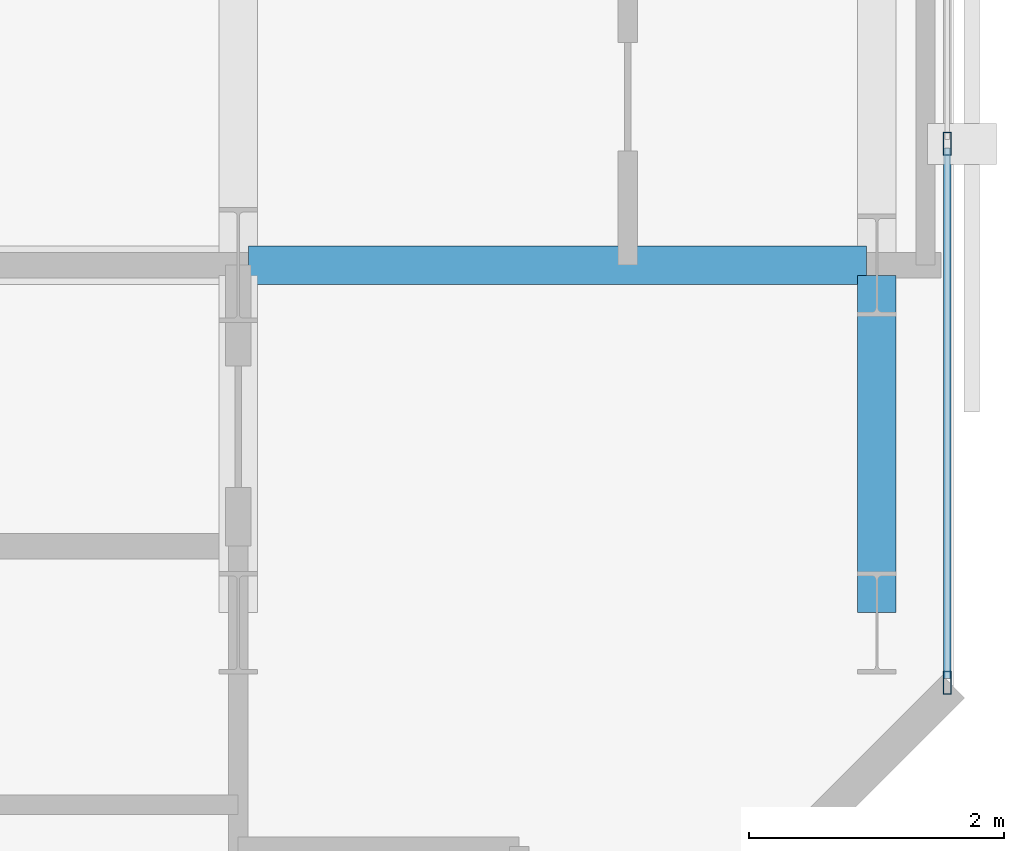
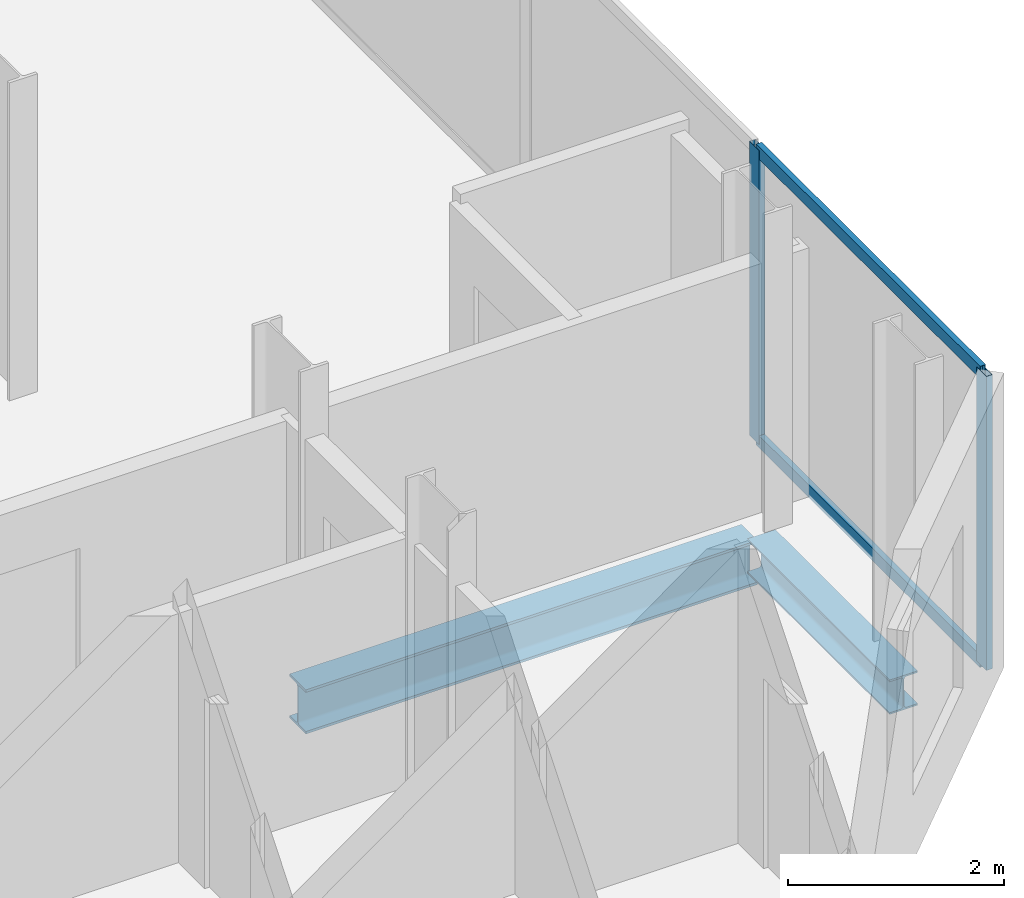
# One storey, part 17 of 33: 4 members, 2 beams, 1 element without a shape of its own.
"""IFC4 building model written with IfcOpenShell, lengths in metres."""

from ifc_helpers import new_model, si_unit, direction, frame, origin, origin_2d, place, context, subcontext, project, spatial, hollow_rectangle, i_section, extrude, material, layer, layer_set, material_profile, profile_set, type_object, element, aggregate, save


model = new_model("IFC4")

# Units and contexts
model_context = context("Model", 3, precision=1e-05, world=origin(), true_north=direction((0.0, 1.0)))
body_context = subcontext(model_context, "Body", "Model", "MODEL_VIEW")
ifc_project = project(units=[si_unit("LENGTHUNIT", "METRE"), si_unit("AREAUNIT", "SQUARE_METRE"), si_unit("VOLUMEUNIT", "CUBIC_METRE"), si_unit("PLANEANGLEUNIT", "RADIAN"), si_unit("MASSUNIT", "GRAM", prefix="KILO")], contexts=[model_context])

# Site, building, storey
site_placement = place(None, origin())
site = spatial("IfcSite", under=ifc_project, at=site_placement, CompositionType="ELEMENT")
building_placement = place(site_placement, origin())
building = spatial("IfcBuilding", under=site, at=building_placement, Name="Catumbela Crestline Tower", CompositionType="ELEMENT")
storey_placement = place(building_placement, frame((0.0, 0.0, 47.4)))
storey = spatial("IfcBuildingStorey", under=building, at=storey_placement, Name="L11", CompositionType="ELEMENT", Elevation=47.4)

# Beam
ifc_material_1 = material(Name="Structural steel S355J2", Category="steel")
ifc_material_profile_1 = material_profile(ifc_material_1, i_section(OverallWidth=0.3, OverallDepth=0.5, WebThickness=0.0145, FlangeThickness=0.028, FilletRadius=0.027, at=origin_2d()), Name="HEB 500")
ifc_profile_set_1 = profile_set([ifc_material_profile_1], Name="Structural steel S355J2")
beam_type_1 = type_object("IfcBeamType", Name="BG-HEB500", PredefinedType="BEAM", material=ifc_profile_set_1)
beam_1_placement = place(storey_placement, frame((50.48, 30.8, -0.51), z_axis=(1.0, 0.0, 0.0), x_axis=(0.0, 1.0, 0.0)))
element("IfcBeam", 1, at=beam_1_placement, inside=storey, type_object=beam_type_1, Name="L11 Beam BM-L11-M12", PredefinedType="BEAM", context=body_context, shape_type="SweptSolid", body=[
    extrude(i_section(OverallWidth=0.3, OverallDepth=0.5, WebThickness=0.0145, FlangeThickness=0.028, FilletRadius=0.027, at=origin_2d()), origin(), (0.0, 0.0, 1.0), 4.84),
])

# Curtain wall, members
ifc_material_2 = material(Name="Aluminium alloy AW-6060-T66", Category="aluminium")
ifc_layer = layer(ifc_material_2, 0.18, Name="Aluminium alloy AW-6060-T66")
ifc_layer_set = layer_set([ifc_layer], Name="Aluminium alloy AW-6060-T66")
curtain_wall_type = type_object("IfcCurtainWallType", Name="CWU-Z1", PredefinedType="USERDEFINED", material=ifc_layer_set)
curtain_wall_placement = place(storey_placement, origin())
curtain_wall = element("IfcCurtainWall", 2, at=curtain_wall_placement, inside=storey, type_object=curtain_wall_type, Name="L11 Unitised Curtain Wall CW-L11-E5S1", ObjectType="UNITISED", PredefinedType="USERDEFINED")
ifc_material_profile_2 = material_profile(ifc_material_2, hollow_rectangle(XDim=0.065, YDim=0.18, WallThickness=0.004, at=origin_2d()), Name="ALU 180x65x4")
ifc_profile_set_2 = profile_set([ifc_material_profile_2], Name="Aluminium alloy AW-6060-T66")
member_type_1 = type_object("IfcMemberType", Name="MUL-180X65", PredefinedType="MULLION", material=ifc_profile_set_2)
member_1_placement = place(storey_placement, frame((55.95, 27.5325, 0.0), z_axis=(0.0, 0.0, 1.0), x_axis=(-1.0, 0.0, 0.0)))
member_1 = element("IfcMember", 3, at=member_1_placement, type_object=member_type_1, Name="CWU-Z1 mullion 1", PredefinedType="MULLION", context=body_context, shape_type="SweptSolid", body=[
    extrude(hollow_rectangle(XDim=0.065, YDim=0.18, WallThickness=0.004, at=origin_2d()), origin(), (0.0, 0.0, 1.0), 3.33),
])
member_2_placement = place(storey_placement, frame((55.95, 31.75, 0.0), z_axis=(0.0, 0.0, 1.0), x_axis=(-1.0, 0.0, 0.0)))
member_2 = element("IfcMember", 4, at=member_2_placement, type_object=member_type_1, Name="CWU-Z1 mullion 2", PredefinedType="MULLION", context=body_context, shape_type="SweptSolid", body=[
    extrude(hollow_rectangle(XDim=0.065, YDim=0.18, WallThickness=0.004, at=origin_2d()), origin(), (0.0, 0.0, 1.0), 3.33),
])

# Beam
ifc_material_profile_3 = material_profile(ifc_material_1, i_section(OverallWidth=0.3, OverallDepth=0.39, WebThickness=0.011, FlangeThickness=0.019, FilletRadius=0.027, at=origin_2d()), Name="HEA 400")
ifc_profile_set_3 = profile_set([ifc_material_profile_3], Name="Structural steel S355J2")
beam_type_2 = type_object("IfcBeamType", Name="BS-HEA400", PredefinedType="SPANDREL", material=ifc_profile_set_3)
beam_2_placement = place(storey_placement, frame((55.4, 28.08, -0.455), z_axis=(0.0, 1.0, 0.0), x_axis=(-1.0, 0.0, 0.0)))
element("IfcBeam", 5, at=beam_2_placement, inside=storey, type_object=beam_type_2, Name="L11 Spandrel SP-L11-SN40", PredefinedType="SPANDREL", context=body_context, shape_type="SweptSolid", body=[
    extrude(i_section(OverallWidth=0.3, OverallDepth=0.39, WebThickness=0.011, FlangeThickness=0.019, FilletRadius=0.027, at=origin_2d()), origin(), (0.0, 0.0, 1.0), 2.64),
])

# Member
ifc_material_profile_4 = material_profile(ifc_material_2, hollow_rectangle(XDim=0.06, YDim=0.14, WallThickness=0.004, at=origin_2d()), Name="ALU 140x60x4")
ifc_profile_set_4 = profile_set([ifc_material_profile_4], Name="Aluminium alloy AW-6060-T66")
member_type_2 = type_object("IfcMemberType", Name="TRN-140X60", PredefinedType="USERDEFINED", material=ifc_profile_set_4)
member_3_placement = place(storey_placement, frame((55.95, 27.565, 0.03), z_axis=(0.0, 1.0, 0.0), x_axis=(-1.0, 0.0, 0.0)))
member_3 = element("IfcMember", 6, at=member_3_placement, type_object=member_type_2, Name="CWU-Z1 transom 1.1", ObjectType="TRANSOM", PredefinedType="USERDEFINED", context=body_context, shape_type="SweptSolid", body=[
    extrude(hollow_rectangle(XDim=0.06, YDim=0.14, WallThickness=0.004, at=origin_2d()), origin(), (0.0, 0.0, 1.0), 4.1525),
])

member_4_placement = place(storey_placement, frame((55.95, 27.565, 3.3), z_axis=(0.0, 1.0, 0.0), x_axis=(-1.0, 0.0, 0.0)))
member_4 = element("IfcMember", 7, at=member_4_placement, type_object=member_type_2, Name="CWU-Z1 transom 1.2", ObjectType="TRANSOM", PredefinedType="USERDEFINED", context=body_context, shape_type="SweptSolid", body=[
    extrude(hollow_rectangle(XDim=0.06, YDim=0.14, WallThickness=0.004, at=origin_2d()), origin(), (0.0, 0.0, 1.0), 4.1525),
])

aggregate(curtain_wall, [member_1, member_2, member_3, member_4])

save(model, "model.ifc")
